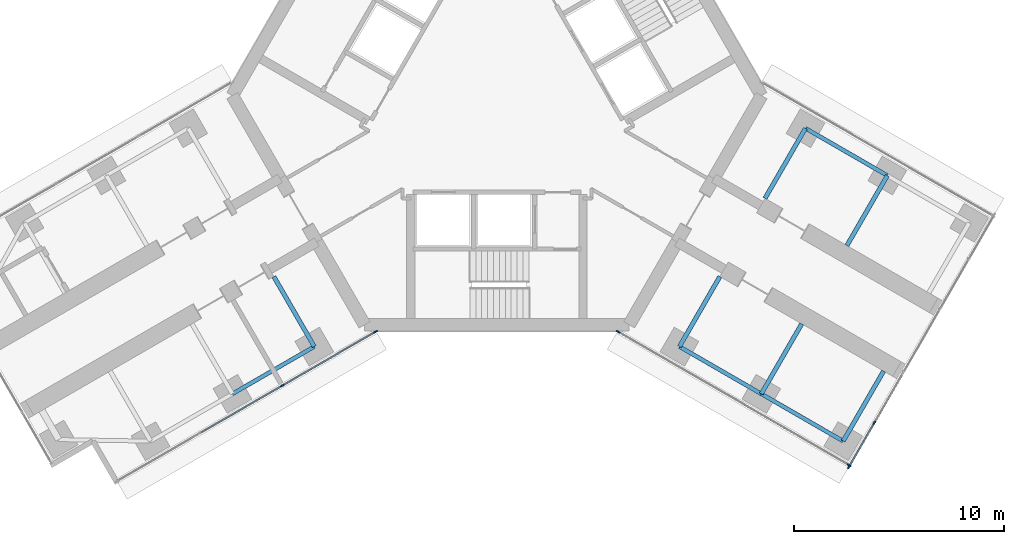
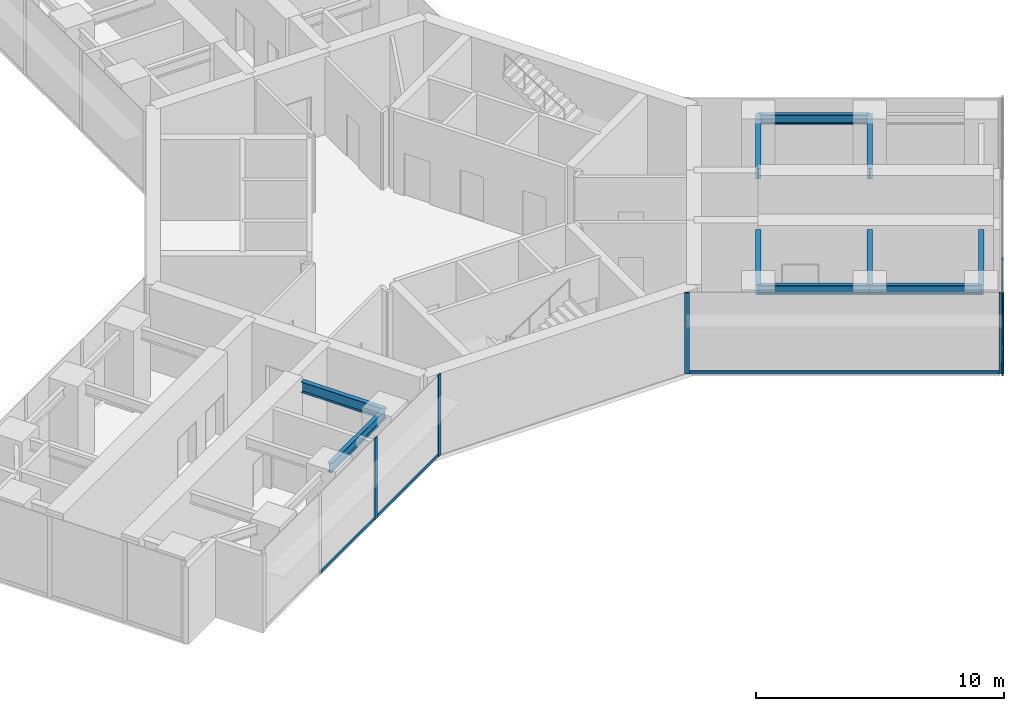
# One storey, part 8 of 21: 11 members, 10 beams, 3 elements without a shape of their own.
"""IFC4 building model written with IfcOpenShell, lengths in metres."""

from ifc_helpers import new_model, si_unit, direction, frame, origin, origin_2d, place, context, subcontext, project, spatial, rectangle, i_section, extrude, material, material_profile, profile_set, type_object, element, aggregate, save


model = new_model("IFC4")

# Units and contexts
model_context = context("Model", 3, precision=1e-05, world=origin(), true_north=direction((0.0, 1.0)))
body_context = subcontext(model_context, "Body", "Model", "MODEL_VIEW")
ifc_project = project(units=[si_unit("LENGTHUNIT", "METRE"), si_unit("AREAUNIT", "SQUARE_METRE"), si_unit("VOLUMEUNIT", "CUBIC_METRE"), si_unit("PLANEANGLEUNIT", "RADIAN"), si_unit("MASSUNIT", "GRAM", prefix="KILO")], contexts=[model_context])

# Site, building, storey
site_placement = place(None, origin())
site = spatial("IfcSite", under=ifc_project, at=site_placement, CompositionType="ELEMENT")
building_placement = place(site_placement, origin())
building = spatial("IfcBuilding", under=site, at=building_placement, Name="Upepo Twin Towers", CompositionType="ELEMENT")
storey_placement = place(building_placement, frame((0.0, 0.0, 109.5)))
storey = spatial("IfcBuildingStorey", under=building, at=storey_placement, Name="L26", CompositionType="ELEMENT", Elevation=109.5)

# Beams
ifc_material_1 = material(Name="Steel S355", Category="steel")
ifc_material_profile_1 = material_profile(ifc_material_1, i_section(OverallWidth=0.1904296875, OverallDepth=0.45703125, WebThickness=0.009033203125, FlangeThickness=0.014404296875, FilletRadius=0.01025390625, at=origin_2d()), Name="UB 457x191x74")
ifc_profile_set_1 = profile_set([ifc_material_profile_1], Name="Steel S355")
beam_type_1 = type_object("IfcBeamType", Name="Beam UB 457x191x74", PredefinedType="BEAM", material=ifc_profile_set_1)
for number, where, z_axis, x_axis, name in (
    (1, (49.80859375, -29.946044921875, 3.571533203125), (-0.866017533419, -0.500013631625, 0.0), (0.500013631625, -0.866017533419, 0.0), "T2 edge beam BL 13.5-18.0"),
    (2, (73.19140625, -19.553955078125, 3.571533203125), (0.866017533419, -0.500013631625, 0.0), (0.500013631625, 0.866017533419, 0.0), "T2 edge beam CL 13.5-18.0"),
    (3, (67.19140625, -29.946044921875, 3.571533203125), (0.866017533419, -0.500013631625, 0.0), (0.500013631625, 0.866017533419, 0.0), "T2 edge beam CR 13.5-18.0"),
):
    element("IfcBeam", number, at=place(storey_placement, frame(where, z_axis=z_axis, x_axis=x_axis)), inside=storey, type_object=beam_type_1, Name=name, PredefinedType="BEAM", context=body_context, shape_type="SweptSolid", body=[
        extrude(i_section(OverallWidth=0.1904296875, OverallDepth=0.45703125, WebThickness=0.009033203125, FlangeThickness=0.014404296875, FilletRadius=0.01025390625, at=origin_2d()), origin(), (0.0, 0.0, 1.0), 4.499755859375),
    ])
beam_1_placement = place(storey_placement, frame((71.08837890625, -32.196044921875, 3.571533203125), z_axis=(0.866031096941, -0.499990139034, 0.0), x_axis=(0.499990139034, 0.866031096941, 0.0)))
element("IfcBeam", 4, at=beam_1_placement, inside=storey, type_object=beam_type_1, Name="T2 edge beam CR 18.0-22.5", PredefinedType="BEAM", context=body_context, shape_type="SweptSolid", body=[
    extrude(i_section(OverallWidth=0.1904296875, OverallDepth=0.45703125, WebThickness=0.009033203125, FlangeThickness=0.014404296875, FilletRadius=0.01025390625, at=origin_2d()), origin(), (0.0, 0.0, 1.0), 4.5),
])
ifc_material_2 = material(Name="Steel S355", Category="steel")
ifc_material_profile_2 = material_profile(ifc_material_2, i_section(OverallWidth=0.209228515625, OverallDepth=0.533203125, WebThickness=0.010009765625, FlangeThickness=0.015625, FilletRadius=0.0126953125, at=origin_2d()), Name="UB 533x210x92")
ifc_profile_set_2 = profile_set([ifc_material_profile_2], Name="Steel S355")
beam_type_2 = type_object("IfcBeamType", Name="Beam UB 533x210x92", PredefinedType="BEAM", material=ifc_profile_set_2)
for number, where, z_axis, x_axis, name in (
    (5, (49.80859375, -29.946044921875, 3.533447265625), (-0.500033517596, 0.866006051527, 0.0), (-0.866006051527, -0.500033517596, 0.0), "T2 girder BL at 13.5"),
    (6, (73.19140625, -19.553955078125, 3.533447265625), (-0.500033517596, -0.866006051527, 0.0), (0.866006051527, -0.500033517596, 0.0), "T2 girder CL at 13.5"),
):
    element("IfcBeam", number, at=place(storey_placement, frame(where, z_axis=z_axis, x_axis=x_axis)), inside=storey, type_object=beam_type_2, Name=name, PredefinedType="BEAM", context=body_context, shape_type="SweptSolid", body=[
        extrude(i_section(OverallWidth=0.209228515625, OverallDepth=0.533203125, WebThickness=0.010009765625, FlangeThickness=0.015625, FilletRadius=0.0126953125, at=origin_2d()), origin(), (0.0, 0.0, 1.0), 3.849853515625),
    ])
beam_2_placement = place(storey_placement, frame((77.08837890625, -21.803955078125, 3.533447265625), z_axis=(-0.499985955615, -0.866033512162, 0.0), x_axis=(0.866033512162, -0.499985955615, 0.0)))
element("IfcBeam", 7, at=beam_2_placement, inside=storey, type_object=beam_type_2, Name="T2 girder CL at 18.0", PredefinedType="BEAM", context=body_context, shape_type="SweptSolid", body=[
    extrude(i_section(OverallWidth=0.209228515625, OverallDepth=0.533203125, WebThickness=0.010009765625, FlangeThickness=0.015625, FilletRadius=0.0126953125, at=origin_2d()), origin(), (0.0, 0.0, 1.0), 3.849609375),
])
for number, where, z_axis, x_axis, name in (
    (8, (67.19140625, -29.946044921875, 3.533447265625), (0.500033517596, 0.866006051527, 0.0), (-0.866006051527, 0.500033517596, 0.0), "T2 girder CR at 13.5"),
    (9, (71.08837890625, -32.196044921875, 3.533447265625), (0.500033517596, 0.866006051527, 0.0), (-0.866006051527, 0.500033517596, 0.0), "T2 girder CR at 18.0"),
    (10, (74.985595703125, -34.446044921875, 3.533447265625), (0.500033517596, 0.866006051527, 0.0), (-0.866006051527, 0.500033517596, 0.0), "T2 girder CR at 22.5"),
):
    element("IfcBeam", number, at=place(storey_placement, frame(where, z_axis=z_axis, x_axis=x_axis)), inside=storey, type_object=beam_type_2, Name=name, PredefinedType="BEAM", context=body_context, shape_type="SweptSolid", body=[
        extrude(i_section(OverallWidth=0.209228515625, OverallDepth=0.533203125, WebThickness=0.010009765625, FlangeThickness=0.015625, FilletRadius=0.0126953125, at=origin_2d()), origin(), (0.0, 0.0, 1.0), 3.849853515625),
    ])

# Curtain wall, members
ifc_material_3 = material(Name="Aluminium and fritted glass", Category="aluminium")
curtain_wall_type = type_object("IfcCurtainWallType", Name="Tower curtain wall TW2, fritted glass", PredefinedType="NOTDEFINED", material=ifc_material_3)
curtain_wall_1_placement = place(storey_placement, origin())
curtain_wall_1 = element("IfcCurtainWall", 11, at=curtain_wall_1_placement, inside=storey, type_object=curtain_wall_type, Name="T2 L26 wing B flank L curtain wall", PredefinedType="NOTDEFINED")
ifc_material_4 = material(Name="Aluminium mullion", Category="aluminium")
ifc_material_profile_3 = material_profile(ifc_material_4, rectangle(XDim=0.06494140625, YDim=0.199951171875, at=origin_2d()), Name="MULLION 65x200")
ifc_profile_set_3 = profile_set([ifc_material_profile_3], Name="Aluminium mullion")
member_type_1 = type_object("IfcMemberType", Name="Mullion 65x200 TW2", PredefinedType="MULLION", material=ifc_profile_set_3)
member_1_placement = place(storey_placement, frame((52.72802734375, -29.2421875, 0.0), z_axis=(0.0, 0.0, 1.0), x_axis=(0.500000010308, -0.866025397833, 0.0)))
member_1 = element("IfcMember", 12, at=member_1_placement, type_object=member_type_1, Name="T2 L26 wing B flank L curtain wall mullion 1", PredefinedType="MULLION", context=body_context, shape_type="SweptSolid", body=[
    extrude(rectangle(XDim=0.06494140625, YDim=0.199951171875, at=origin_2d()), origin(), (0.0, 0.0, 1.0), 4.0),
])
member_2_placement = place(storey_placement, frame((48.28515625, -31.807373046875, 0.0), z_axis=(0.0, 0.0, 1.0), x_axis=(0.500000010308, -0.866025397833, 0.0)))
member_2 = element("IfcMember", 13, at=member_2_placement, type_object=member_type_1, Name="T2 L26 wing B flank L curtain wall mullion 2", PredefinedType="MULLION", context=body_context, shape_type="SweptSolid", body=[
    extrude(rectangle(XDim=0.06494140625, YDim=0.199951171875, at=origin_2d()), origin(), (0.0, 0.0, 1.0), 4.0),
])

curtain_wall_2_placement = place(storey_placement, origin())
curtain_wall_2 = element("IfcCurtainWall", 14, at=curtain_wall_2_placement, inside=storey, type_object=curtain_wall_type, Name="T2 L26 wing C flank R curtain wall", PredefinedType="NOTDEFINED")
member_3_placement = place(storey_placement, frame((75.2685546875, -35.591064453125, 0.0), z_axis=(0.0, 0.0, 1.0), x_axis=(-0.50000000792, -0.866025399212, 0.0)))
member_3 = element("IfcMember", 15, at=member_3_placement, type_object=member_type_1, Name="T2 L26 wing C flank R curtain wall mullion 1", PredefinedType="MULLION", context=body_context, shape_type="SweptSolid", body=[
    extrude(rectangle(XDim=0.06494140625, YDim=0.199951171875, at=origin_2d()), origin(), (0.0, 0.0, 1.0), 4.0),
])
member_4_placement = place(storey_placement, frame((64.27197265625, -29.2421875, 0.0), z_axis=(0.0, 0.0, 1.0), x_axis=(-0.50000000792, -0.866025399212, 0.0)))
member_4 = element("IfcMember", 16, at=member_4_placement, type_object=member_type_1, Name="T2 L26 wing C flank R curtain wall mullion 2", PredefinedType="MULLION", context=body_context, shape_type="SweptSolid", body=[
    extrude(rectangle(XDim=0.06494140625, YDim=0.199951171875, at=origin_2d()), origin(), (0.0, 0.0, 1.0), 4.0),
])

curtain_wall_3_placement = place(storey_placement, origin())
curtain_wall_3 = element("IfcCurtainWall", 17, at=curtain_wall_3_placement, inside=storey, type_object=curtain_wall_type, Name="T2 L26 wing C nose curtain wall", PredefinedType="NOTDEFINED")
member_5_placement = place(storey_placement, frame((75.262939453125, -35.665771484375, 0.0), z_axis=(0.0, 0.0, 1.0), x_axis=(-0.866025419745, 0.499999972355, 0.0)))
member_5 = element("IfcMember", 18, at=member_5_placement, type_object=member_type_1, Name="T2 L26 wing C nose curtain wall mullion 1", PredefinedType="MULLION", context=body_context, shape_type="SweptSolid", body=[
    extrude(rectangle(XDim=0.06494140625, YDim=0.199951171875, at=origin_2d()), origin(), (0.0, 0.0, 1.0), 4.0),
])
member_6_placement = place(storey_placement, frame((76.4716796875, -33.572021484375, 0.0), z_axis=(0.0, 0.0, 1.0), x_axis=(-0.866025419745, 0.499999972355, 0.0)))
member_6 = element("IfcMember", 19, at=member_6_placement, type_object=member_type_1, Name="T2 L26 wing C nose curtain wall mullion 2", PredefinedType="MULLION", context=body_context, shape_type="SweptSolid", body=[
    extrude(rectangle(XDim=0.06494140625, YDim=0.199951171875, at=origin_2d()), origin(), (0.0, 0.0, 1.0), 4.0),
])

# Member
ifc_material_5 = material(Name="Aluminium transom", Category="aluminium")
ifc_material_profile_4 = material_profile(ifc_material_5, rectangle(XDim=0.06494140625, YDim=0.14990234375, at=origin_2d()), Name="TRANSOM 65x150")
ifc_profile_set_4 = profile_set([ifc_material_profile_4], Name="Aluminium transom")
member_type_2 = type_object("IfcMemberType", Name="Transom 65x150 TW2", PredefinedType="USERDEFINED", material=ifc_profile_set_4)
member_7_placement = place(storey_placement, frame((52.699951171875, -29.25830078125, 0.074951171875), z_axis=(-0.866021848223, -0.500006158363, 0.0), x_axis=(0.500006158363, -0.866021848223, 0.0)))
member_7 = element("IfcMember", 20, at=member_7_placement, type_object=member_type_2, Name="T2 L26 wing B flank L curtain wall transom 1", ObjectType="TRANSOM", PredefinedType="USERDEFINED", context=body_context, shape_type="SweptSolid", body=[
    extrude(rectangle(XDim=0.06494140625, YDim=0.14990234375, at=origin_2d()), origin(), (0.0, 0.0, 1.0), 5.0654296875),
])

member_8_placement = place(storey_placement, frame((48.2568359375, -31.823486328125, 0.074951171875), z_axis=(-0.866022410713, -0.500005184116, 0.0), x_axis=(0.500005184116, -0.866022410713, 0.0)))
member_8 = element("IfcMember", 21, at=member_8_placement, type_object=member_type_2, Name="T2 L26 wing B flank L curtain wall transom 2", ObjectType="TRANSOM", PredefinedType="USERDEFINED", context=body_context, shape_type="SweptSolid", body=[
    extrude(rectangle(XDim=0.06494140625, YDim=0.14990234375, at=origin_2d()), origin(), (0.0, 0.0, 1.0), 4.43505859375),
])

aggregate(curtain_wall_1, [member_1, member_2, member_7, member_8])

member_9_placement = place(storey_placement, frame((75.240478515625, -35.57470703125, 0.074951171875), z_axis=(-0.866027247007, 0.499996807431, 0.0), x_axis=(-0.499996807431, -0.866027247007, 0.0)))
member_9 = element("IfcMember", 22, at=member_9_placement, type_object=member_type_2, Name="T2 L26 wing C flank R curtain wall transom 1", ObjectType="TRANSOM", PredefinedType="USERDEFINED", context=body_context, shape_type="SweptSolid", body=[
    extrude(rectangle(XDim=0.06494140625, YDim=0.14990234375, at=origin_2d()), origin(), (0.0, 0.0, 1.0), 12.6328125),
])

aggregate(curtain_wall_2, [member_3, member_4, member_9])

member_10_placement = place(storey_placement, frame((75.279296875, -35.6376953125, 0.074951171875), z_axis=(0.499923095048, 0.866069800327, 0.0), x_axis=(-0.866069800327, 0.499923095048, 0.0)))
member_10 = element("IfcMember", 23, at=member_10_placement, type_object=member_type_2, Name="T2 L26 wing C nose curtain wall transom 1", ObjectType="TRANSOM", PredefinedType="USERDEFINED", context=body_context, shape_type="SweptSolid", body=[
    extrude(rectangle(XDim=0.06494140625, YDim=0.14990234375, at=origin_2d()), origin(), (0.0, 0.0, 1.0), 2.352294921875),
])

member_11_placement = place(storey_placement, frame((76.488037109375, -33.5439453125, 0.074951171875), z_axis=(0.49995335277, 0.8660523339, 0.0), x_axis=(-0.8660523339, 0.49995335277, 0.0)))
member_11 = element("IfcMember", 24, at=member_11_placement, type_object=member_type_2, Name="T2 L26 wing C nose curtain wall transom 2", ObjectType="TRANSOM", PredefinedType="USERDEFINED", context=body_context, shape_type="SweptSolid", body=[
    extrude(rectangle(XDim=0.06494140625, YDim=0.14990234375, at=origin_2d()), origin(), (0.0, 0.0, 1.0), 2.684814453125),
])

aggregate(curtain_wall_3, [member_5, member_6, member_10, member_11])

save(model, "model.ifc")
